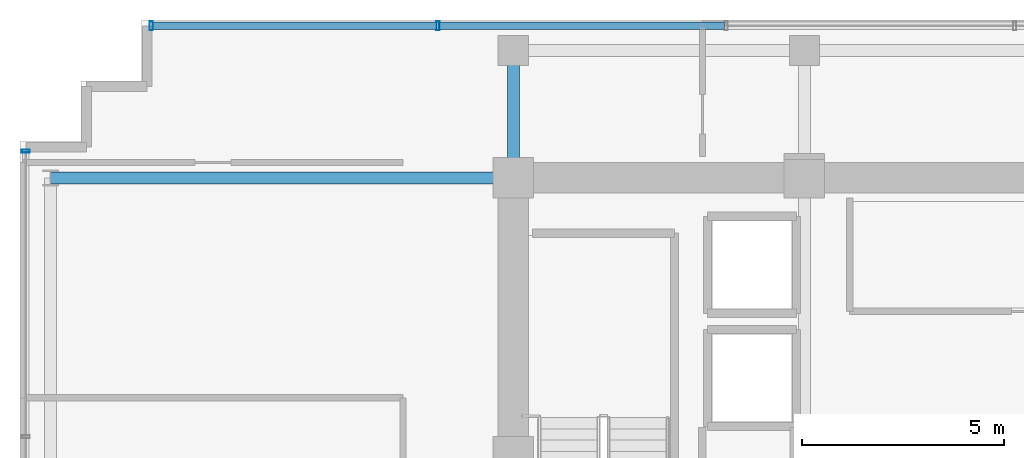
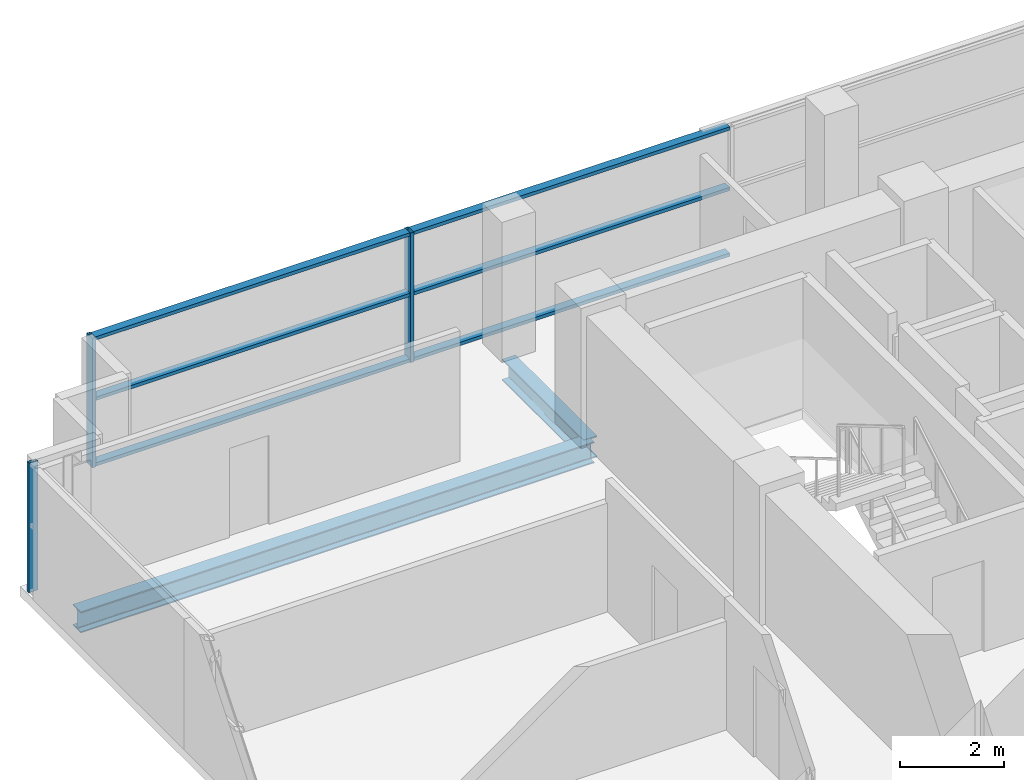
# One storey, part 13 of 25: 9 members, 2 beams, 2 elements without a shape of their own.
"""IFC4 building model written with IfcOpenShell, lengths in metres."""

from ifc_helpers import new_model, si_unit, direction, frame, origin, origin_2d, place, context, subcontext, project, spatial, hollow_rectangle, i_section, extrude, source, transform, mapped, material, layer, layer_set, material_profile, profile_set, type_object, element, aggregate, save


model = new_model("IFC4")

# Units and contexts
model_context = context("Model", 3, precision=1e-05, world=origin(), true_north=direction((0.0, 1.0)))
body_context = subcontext(model_context, "Body", "Model", "MODEL_VIEW")
ifc_project = project(units=[si_unit("LENGTHUNIT", "METRE"), si_unit("AREAUNIT", "SQUARE_METRE"), si_unit("VOLUMEUNIT", "CUBIC_METRE"), si_unit("PLANEANGLEUNIT", "RADIAN"), si_unit("MASSUNIT", "GRAM", prefix="KILO")], contexts=[model_context])

# Site, building, storey
site_placement = place(None, origin())
site = spatial("IfcSite", under=ifc_project, at=site_placement, CompositionType="ELEMENT")
building_placement = place(site_placement, origin())
building = spatial("IfcBuilding", under=site, at=building_placement, Name="Zarnakvel Exchange Tower", CompositionType="ELEMENT")
storey_placement = place(building_placement, frame((0.0, 0.0, 169.300048828125)))
storey = spatial("IfcBuildingStorey", under=building, at=storey_placement, Name="L47", CompositionType="ELEMENT", Elevation=169.300048828125)

# Beams
ifc_material_1 = material(Name="Steel S355", Category="steel")
ifc_material_profile_1 = material_profile(ifc_material_1, i_section(OverallWidth=0.300048828125, OverallDepth=0.5, WebThickness=0.014404296875, FlangeThickness=0.028076171875, FilletRadius=0.027099609375, at=origin_2d()))
ifc_profile_set_1 = profile_set([ifc_material_profile_1], Name="Steel S355")
beam_type = type_object("IfcBeamType", Name="G-06", PredefinedType="BEAM", material=ifc_profile_set_1)
beam_1_placement = place(storey_placement, frame((-25.85009765625, 13.5, -0.47509765625), z_axis=(1.0, 0.0, 0.0), x_axis=(0.0, 1.0, 0.0)))
element("IfcBeam", 1, at=beam_1_placement, inside=storey, type_object=beam_type, Name="L47 Tower E-W Frame Beam", PredefinedType="BEAM", context=body_context, shape_type="SweptSolid", body=[
    extrude(i_section(OverallWidth=0.300048828125, OverallDepth=0.5, WebThickness=0.014404296875, FlangeThickness=0.028076171875, FilletRadius=0.027099609375, at=origin_2d()), origin(), (0.0, 0.0, 1.0), 11.4501953125),
])
beam_2_placement = place(storey_placement, frame((-14.39990234375, 13.5, -0.47509765625), z_axis=(0.0, 1.0, 0.0), x_axis=(-1.0, 0.0, 0.0)))
element("IfcBeam", 2, at=beam_2_placement, inside=storey, type_object=beam_type, Name="L47 Tower N-S Frame Beam", PredefinedType="BEAM", context=body_context, shape_type="SweptSolid", body=[
    extrude(i_section(OverallWidth=0.300048828125, OverallDepth=0.5, WebThickness=0.014404296875, FlangeThickness=0.028076171875, FilletRadius=0.027099609375, at=origin_2d()), origin(), (0.0, 0.0, 1.0), 3.14990234375),
])

# Curtain wall, member
ifc_material_2 = material(Name="Architectural Bronze Anodised Aluminium", Category="aluminium")
ifc_layer_1 = layer(ifc_material_2, 0.199951171875)
ifc_layer_set_1 = layer_set([ifc_layer_1], Name="Architectural Bronze Anodised Aluminium")
curtain_wall_type_1 = type_object("IfcCurtainWallType", Name="CW-04", PredefinedType="NOTDEFINED", material=ifc_layer_set_1)
curtain_wall_1_placement = place(storey_placement, origin())
curtain_wall_1 = element("IfcCurtainWall", 3, at=curtain_wall_1_placement, inside=storey, type_object=curtain_wall_type_1, Name="L47 Curtain Wall CW-L47-W1 (CW-04)", PredefinedType="NOTDEFINED")
ifc_material_profile_2 = material_profile(ifc_material_2, hollow_rectangle(XDim=0.199951171875, YDim=0.074951171875, WallThickness=0.0048828125, at=origin_2d()))
ifc_profile_set_2 = profile_set([ifc_material_profile_2], Name="Architectural Bronze Anodised Aluminium")
member_type_1 = type_object("IfcMemberType", Name="CWM-04", PredefinedType="MULLION", material=ifc_profile_set_2)
shared_shape_1 = source(origin(), body_context, "Body", "SweptSolid", [
    extrude(hollow_rectangle(XDim=0.199951171875, YDim=0.074951171875, WallThickness=0.0048828125, at=origin_2d()), origin(), (0.0, 0.0, 1.0), 3.054931640625),
])
member_1_placement = place(storey_placement, frame((-26.4599609375, 14.16259765625, 0.0), z_axis=(0.0, 0.0, 1.0), x_axis=(-1.0, 0.0, 0.0)))
member_1 = element("IfcMember", 4, at=member_1_placement, type_object=member_type_1, Name="CW-04 mullion 5", PredefinedType="MULLION", context=body_context, shape_type="MappedRepresentation", body=[
    mapped(shared_shape_1, transform((0.0, 0.0, 0.0), x_axis=(1.0, 0.0, 0.0), y_axis=(0.0, 1.0, 0.0), z_axis=(0.0, 0.0, 1.0), scale=1.0)),
])
aggregate(curtain_wall_1, [member_1])

# Curtain wall, members
ifc_layer_2 = layer(ifc_material_2, 0.219970703125)
ifc_layer_set_2 = layer_set([ifc_layer_2], Name="Architectural Bronze Anodised Aluminium")
curtain_wall_type_2 = type_object("IfcCurtainWallType", Name="CW-03", PredefinedType="NOTDEFINED", material=ifc_layer_set_2)
curtain_wall_2_placement = place(storey_placement, origin())
curtain_wall_2 = element("IfcCurtainWall", 5, at=curtain_wall_2_placement, inside=storey, type_object=curtain_wall_type_2, Name="L47 Curtain Wall CW-L47-N1 (CW-03)", PredefinedType="NOTDEFINED")
ifc_material_profile_3 = material_profile(ifc_material_2, hollow_rectangle(XDim=0.219970703125, YDim=0.080078125, WallThickness=0.0048828125, at=origin_2d()))
ifc_profile_set_3 = profile_set([ifc_material_profile_3], Name="Architectural Bronze Anodised Aluminium")
member_type_2 = type_object("IfcMemberType", Name="CWM-03", PredefinedType="MULLION", material=ifc_profile_set_3)
shared_shape_2 = source(origin(), body_context, "Body", "SweptSolid", [
    extrude(hollow_rectangle(XDim=0.219970703125, YDim=0.080078125, WallThickness=0.0048828125, at=origin_2d()), origin(), (0.0, 0.0, 1.0), 3.054931640625),
])
member_2_placement = place(storey_placement, frame((-23.360107421875, 17.260009765625, 0.0), z_axis=(0.0, 0.0, 1.0), x_axis=(0.0, 1.0, 0.0)))
member_2 = element("IfcMember", 6, at=member_2_placement, type_object=member_type_2, Name="CW-03 mullion 1", PredefinedType="MULLION", context=body_context, shape_type="MappedRepresentation", body=[
    mapped(shared_shape_2, transform((0.0, 0.0, 0.0), x_axis=(1.0, 0.0, 0.0), y_axis=(0.0, 1.0, 0.0), z_axis=(0.0, 0.0, 1.0), scale=1.0)),
])
member_3_placement = place(storey_placement, frame((-16.2666015625, 17.260009765625, 0.0), z_axis=(0.0, 0.0, 1.0), x_axis=(0.0, 1.0, 0.0)))
member_3 = element("IfcMember", 7, at=member_3_placement, type_object=member_type_2, Name="CW-03 mullion 2", PredefinedType="MULLION", context=body_context, shape_type="MappedRepresentation", body=[
    mapped(shared_shape_2, transform((0.0, 0.0, 0.0), x_axis=(1.0, 0.0, 0.0), y_axis=(0.0, 1.0, 0.0), z_axis=(0.0, 0.0, 1.0), scale=1.0)),
])
ifc_material_profile_4 = material_profile(ifc_material_2, hollow_rectangle(XDim=0.179931640625, YDim=0.080078125, WallThickness=0.00390625, at=origin_2d()))
ifc_profile_set_4 = profile_set([ifc_material_profile_4], Name="Architectural Bronze Anodised Aluminium")
member_type_3 = type_object("IfcMemberType", Name="CWT-03", PredefinedType="USERDEFINED", material=ifc_profile_set_4)
shared_shape_3 = source(origin(), body_context, "Body", "SweptSolid", [
    extrude(hollow_rectangle(XDim=0.179931640625, YDim=0.080078125, WallThickness=0.00390625, at=origin_2d()), origin(), (0.0, 0.0, 1.0), 7.013427734375),
])
member_4_placement = place(storey_placement, frame((-23.320068359375, 17.260009765625, 0.0400390625), z_axis=(1.0, 0.0, 0.0), x_axis=(0.0, 1.0, 0.0)))
member_4 = element("IfcMember", 8, at=member_4_placement, type_object=member_type_3, Name="CW-03 transom 1.1", ObjectType="TRANSOM", PredefinedType="USERDEFINED", context=body_context, shape_type="MappedRepresentation", body=[
    mapped(shared_shape_3, transform((0.0, 0.0, 0.0), x_axis=(1.0, 0.0, 0.0), y_axis=(0.0, 1.0, 0.0), z_axis=(0.0, 0.0, 1.0), scale=1.0)),
])
member_5_placement = place(storey_placement, frame((-23.320068359375, 17.260009765625, 1.588623046875), z_axis=(1.0, 0.0, 0.0), x_axis=(0.0, 1.0, 0.0)))
member_5 = element("IfcMember", 9, at=member_5_placement, type_object=member_type_3, Name="CW-03 transom 1.2", ObjectType="TRANSOM", PredefinedType="USERDEFINED", context=body_context, shape_type="MappedRepresentation", body=[
    mapped(shared_shape_3, transform((0.0, 0.0, 0.0), x_axis=(1.0, 0.0, 0.0), y_axis=(0.0, 1.0, 0.0), z_axis=(0.0, 0.0, 1.0), scale=1.0)),
])
member_6_placement = place(storey_placement, frame((-23.320068359375, 17.260009765625, 3.014892578125), z_axis=(1.0, 0.0, 0.0), x_axis=(0.0, 1.0, 0.0)))
member_6 = element("IfcMember", 10, at=member_6_placement, type_object=member_type_3, Name="CW-03 transom 1.3", ObjectType="TRANSOM", PredefinedType="USERDEFINED", context=body_context, shape_type="MappedRepresentation", body=[
    mapped(shared_shape_3, transform((0.0, 0.0, 0.0), x_axis=(1.0, 0.0, 0.0), y_axis=(0.0, 1.0, 0.0), z_axis=(0.0, 0.0, 1.0), scale=1.0)),
])
shared_shape_4 = source(origin(), body_context, "Body", "SweptSolid", [
    extrude(hollow_rectangle(XDim=0.179931640625, YDim=0.080078125, WallThickness=0.00390625, at=origin_2d()), origin(), (0.0, 0.0, 1.0), 7.05322265625),
])
member_7_placement = place(storey_placement, frame((-16.2265625, 17.260009765625, 0.0400390625), z_axis=(1.0, 0.0, 0.0), x_axis=(0.0, 1.0, 0.0)))
member_7 = element("IfcMember", 11, at=member_7_placement, type_object=member_type_3, Name="CW-03 transom 2.1", ObjectType="TRANSOM", PredefinedType="USERDEFINED", context=body_context, shape_type="MappedRepresentation", body=[
    mapped(shared_shape_4, transform((0.0, 0.0, 0.0), x_axis=(1.0, 0.0, 0.0), y_axis=(0.0, 1.0, 0.0), z_axis=(0.0, 0.0, 1.0), scale=1.0)),
])
member_8_placement = place(storey_placement, frame((-16.2265625, 17.260009765625, 1.588623046875), z_axis=(1.0, 0.0, 0.0), x_axis=(0.0, 1.0, 0.0)))
member_8 = element("IfcMember", 12, at=member_8_placement, type_object=member_type_3, Name="CW-03 transom 2.2", ObjectType="TRANSOM", PredefinedType="USERDEFINED", context=body_context, shape_type="MappedRepresentation", body=[
    mapped(shared_shape_4, transform((0.0, 0.0, 0.0), x_axis=(1.0, 0.0, 0.0), y_axis=(0.0, 1.0, 0.0), z_axis=(0.0, 0.0, 1.0), scale=1.0)),
])
member_9_placement = place(storey_placement, frame((-16.2265625, 17.260009765625, 3.014892578125), z_axis=(1.0, 0.0, 0.0), x_axis=(0.0, 1.0, 0.0)))
member_9 = element("IfcMember", 13, at=member_9_placement, type_object=member_type_3, Name="CW-03 transom 2.3", ObjectType="TRANSOM", PredefinedType="USERDEFINED", context=body_context, shape_type="MappedRepresentation", body=[
    mapped(shared_shape_4, transform((0.0, 0.0, 0.0), x_axis=(1.0, 0.0, 0.0), y_axis=(0.0, 1.0, 0.0), z_axis=(0.0, 0.0, 1.0), scale=1.0)),
])
aggregate(curtain_wall_2, [member_2, member_3, member_4, member_5, member_6, member_7, member_8, member_9])

save(model, "model.ifc")
